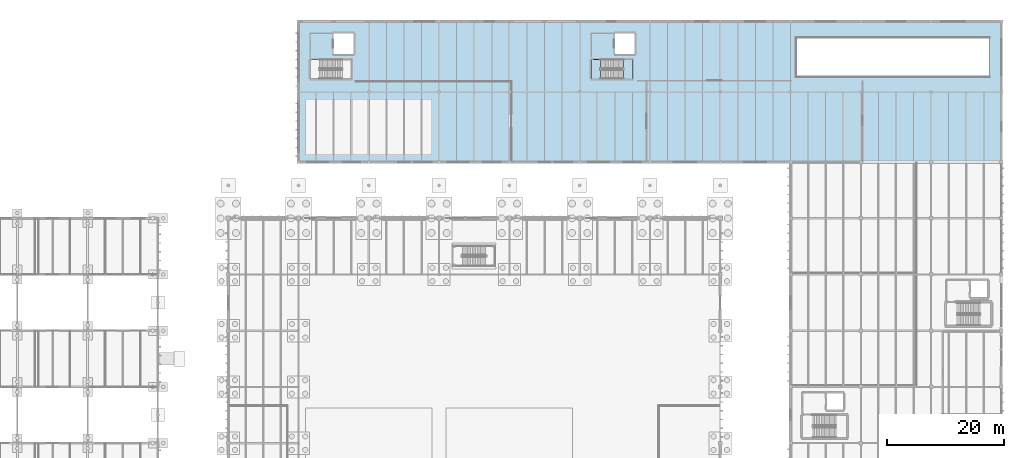
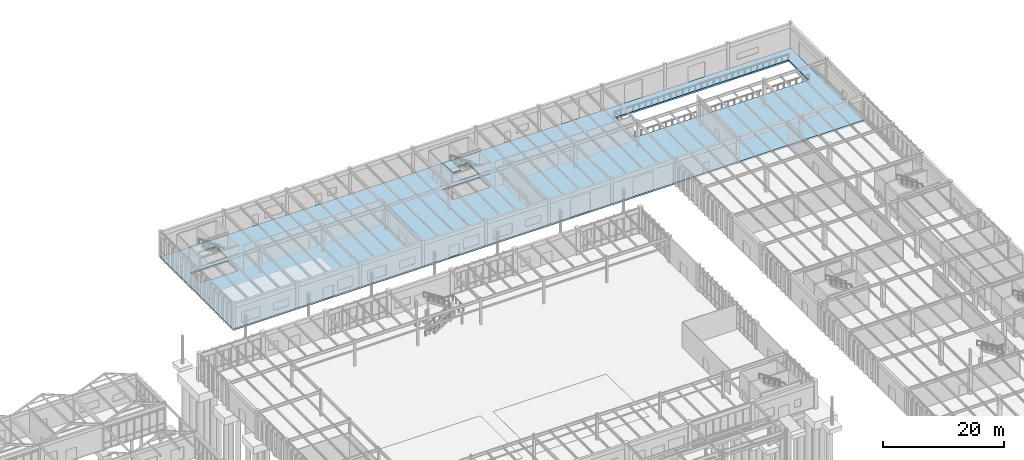
# One storey, part 139 of 188: 3 slabs, 1 element without a shape of its own.
"""IFC4 building model written with IfcOpenShell, lengths in metres."""

from ifc_helpers import new_model, si_unit, direction, frame, origin, place, context, subcontext, project, spatial, polyline, outline, extrude, material, layer, layer_set, type_object, element, aggregate, save


model = new_model("IFC4")

# Units and contexts
model_context = context("Model", 3, precision=1e-05, world=origin(), true_north=direction((0.0, 1.0)))
body_context = subcontext(model_context, "Body", "Model", "MODEL_VIEW")
ifc_project = project(units=[si_unit("LENGTHUNIT", "METRE"), si_unit("AREAUNIT", "SQUARE_METRE"), si_unit("VOLUMEUNIT", "CUBIC_METRE"), si_unit("PLANEANGLEUNIT", "RADIAN"), si_unit("MASSUNIT", "GRAM", prefix="KILO")], contexts=[model_context])

# Site, building, storey
site_placement = place(None, origin())
site = spatial("IfcSite", under=ifc_project, at=site_placement, CompositionType="ELEMENT")
building_placement = place(site_placement, origin())
building = spatial("IfcBuilding", under=site, at=building_placement, Name="Pandanus Reach Market Hall", CompositionType="ELEMENT")
storey_placement = place(building_placement, origin())
storey = spatial("IfcBuildingStorey", under=building, at=storey_placement, Name="L00", CompositionType="ELEMENT", Elevation=0.0)

# Slab
ifc_material = material(Name="Concrete N40 (40 MPa)", Category="concrete")
ifc_layer_1 = layer(ifc_material, 0.324951171875, Name="SL-L00-DOCK")
ifc_layer_set_1 = layer_set([ifc_layer_1], Name="Concrete N40 (40 MPa)")
slab_type_1 = type_object("IfcSlabType", Name="SL-L00-DOCK", PredefinedType="FLOOR", material=ifc_layer_set_1)
slab_1_placement = place(storey_placement, frame((0.0, 0.0, -0.324951171875)))
element("IfcSlab", 1, at=slab_1_placement, inside=storey, type_object=slab_type_1, Name="Floor slab SL-L00-V5", PredefinedType="FLOOR", context=body_context, shape_type="SweptSolid", body=[
    extrude(outline(polyline([(60.0, 96.0), (180.0, 96.0), (180.0, 120.0), (60.0, 120.0), (60.0, 96.0)]), holes=[polyline([(62.0, 110.199951171875), (69.02001953125, 110.199951171875), (69.02001953125, 113.5), (62.0, 113.5), (62.0, 110.199951171875)]), polyline([(66.0, 114.39990234375), (69.39990234375, 114.39990234375), (69.39990234375, 118.0), (66.0, 118.0), (66.0, 114.39990234375)]), polyline([(110.0, 110.199951171875), (117.02001953125, 110.199951171875), (117.02001953125, 113.5), (110.0, 113.5), (110.0, 110.199951171875)]), polyline([(114.0, 114.39990234375), (117.39990234375, 114.39990234375), (117.39990234375, 118.0), (114.0, 118.0), (114.0, 114.39990234375)]), polyline([(145.0, 110.60009765625), (178.0, 110.60009765625), (178.0, 117.199951171875), (145.0, 117.199951171875), (145.0, 110.60009765625)])]), origin(), (0.0, 0.0, 1.0), 0.324951171875),
])

# Stair, slabs
stair_type = type_object("IfcStairType", Name="STR-05", PredefinedType="HALF_TURN_STAIR", material=ifc_material)
stair_placement = place(storey_placement, origin())
stair = element("IfcStair", 2, at=stair_placement, inside=storey, type_object=stair_type, Name="Stair ST-06 L00", PredefinedType="HALF_TURN_STAIR")
ifc_layer_2 = layer(ifc_material, 0.199951171875, Name="SL-LND-200")
ifc_layer_set_2 = layer_set([ifc_layer_2], Name="Concrete N40 (40 MPa)")
slab_type_2 = type_object("IfcSlabType", Name="SL-LND-200", PredefinedType="LANDING", material=ifc_layer_set_2)
slab_2_placement = place(storey_placement, frame((0.0, 0.0, 2.5)))
slab_2 = element("IfcSlab", 3, at=slab_2_placement, type_object=slab_type_2, Name="STR-05 landing 1", PredefinedType="LANDING", context=body_context, shape_type="SweptSolid", body=[
    extrude(outline(polyline([(115.469970703125, 110.199951171875), (117.02001953125, 110.199951171875), (117.02001953125, 113.5), (115.469970703125, 113.5), (115.469970703125, 110.199951171875)])), origin(), (0.0, 0.0, 1.0), 0.199951171875),
])
slab_3_placement = place(storey_placement, frame((0.0, 0.0, 5.199951171875)))
slab_3 = element("IfcSlab", 4, at=slab_3_placement, type_object=slab_type_2, Name="STR-05 landing 2", PredefinedType="LANDING", context=body_context, shape_type="SweptSolid", body=[
    extrude(outline(polyline([(110.0, 110.199951171875), (111.550048828125, 110.199951171875), (111.550048828125, 113.5), (110.0, 113.5), (110.0, 110.199951171875)])), origin(), (0.0, 0.0, 1.0), 0.199951171875),
])
aggregate(stair, [slab_2, slab_3])

save(model, "model.ifc")
